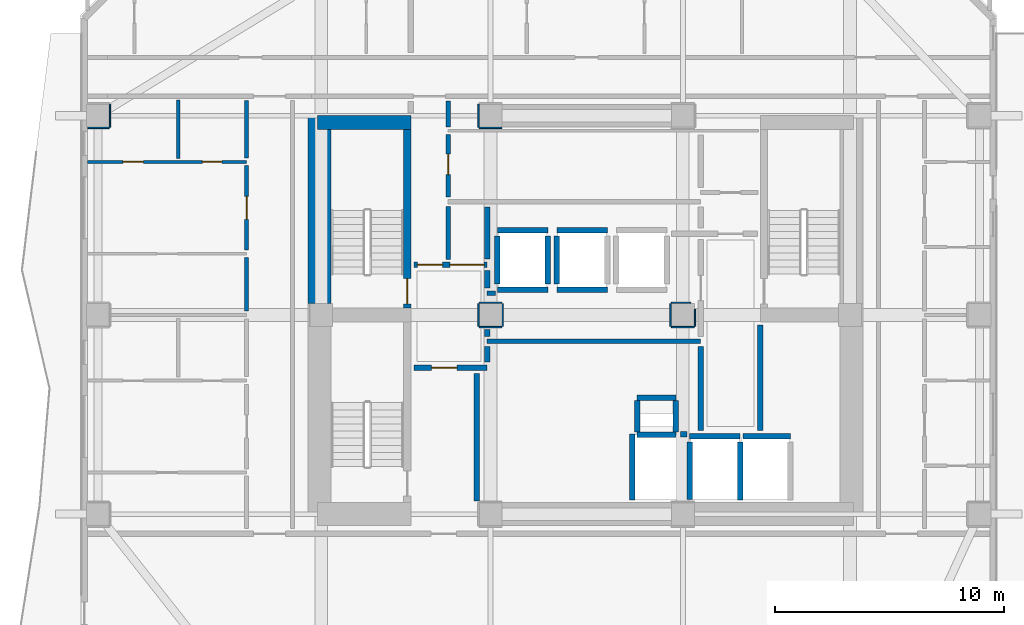
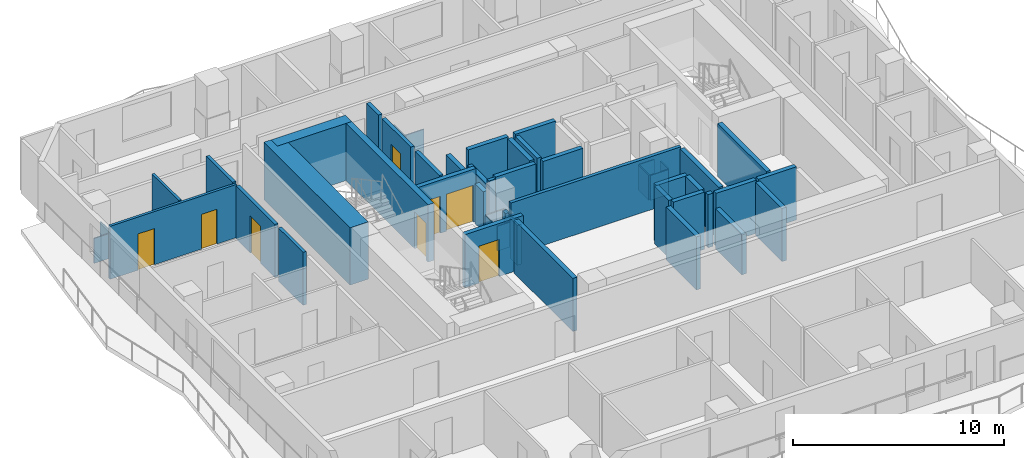
# One storey, part 4 of 11: 51 walls, 8 doors, 8 openings.
"""IFC4 building model written with IfcOpenShell, lengths in metres."""

from ifc_helpers import new_model, si_unit, direction, frame, frame_2d, origin, place, context, subcontext, project, spatial, rectangle, extrude, material, layer, layer_set, type_object, element, fill, save


model = new_model("IFC4")

# Units and contexts
model_context = context("Model", 3, precision=1e-05, world=origin(), true_north=direction((0.0, 1.0)))
body_context = subcontext(model_context, "Body", "Model", "MODEL_VIEW")
ifc_project = project(units=[si_unit("LENGTHUNIT", "METRE"), si_unit("AREAUNIT", "SQUARE_METRE"), si_unit("VOLUMEUNIT", "CUBIC_METRE"), si_unit("PLANEANGLEUNIT", "RADIAN"), si_unit("MASSUNIT", "GRAM", prefix="KILO")], contexts=[model_context])

# Site, building, storey
site_placement = place(None, origin())
site = spatial("IfcSite", under=ifc_project, at=site_placement, CompositionType="ELEMENT")
building_placement = place(site_placement, origin())
building = spatial("IfcBuilding", under=site, at=building_placement, Name="Solanera Arch Residences", CompositionType="ELEMENT")
storey_placement = place(building_placement, frame((0.0, 0.0, 109.39990234375)))
storey = spatial("IfcBuildingStorey", under=building, at=storey_placement, Name="L31", CompositionType="ELEMENT", Elevation=109.39990234375)

# Walls
ifc_material_1 = material(Name="Fire-Rated Gypsum Stud Partition", Category="gypsum")
ifc_layer_1 = layer(ifc_material_1, 0.06005859375)
ifc_layer_set_1 = layer_set([ifc_layer_1], Name="Fire-Rated Gypsum Stud Partition")
wall_type_1 = type_object("IfcWallType", Name="Column Acoustic Furring Wall 60", PredefinedType="PARTITIONING", material=ifc_layer_set_1)
for number, where, z_axis, x_axis, name in (
    (1, (20.300048828125, 38.867919921875, 0.0), (0.0, 0.0, 1.0), (1.0, 0.0, 0.0), "L31 Column Furring 3S"),
    (2, (20.26806640625, 38.89990234375, 0.0), (0.0, 0.0, 1.0), (0.0, 1.0, 0.0), "L31 Column Furring 3W"),
    (3, (20.300048828125, 30.16796875, 0.0), (0.0, 0.0, 1.0), (1.0, 0.0, 0.0), "L31 Column Furring 7S"),
    (4, (20.300048828125, 31.23193359375, 0.0), (0.0, 0.0, 1.0), (1.0, 0.0, 0.0), "L31 Column Furring 7N"),
    (5, (20.26806640625, 30.199951171875, 0.0), (0.0, 0.0, 1.0), (0.0, 1.0, 0.0), "L31 Column Furring 7W"),
    (6, (21.33203125, 30.199951171875, 0.0), (0.0, 0.0, 1.0), (0.0, 1.0, 0.0), "L31 Column Furring 7E"),
    (7, (28.699951171875, 30.16796875, 0.0), (0.0, 0.0, 1.0), (1.0, 0.0, 0.0), "L31 Column Furring 8S"),
):
    element("IfcWall", number, at=place(storey_placement, frame(where, z_axis=z_axis, x_axis=x_axis)), inside=storey, type_object=wall_type_1, Name=name, PredefinedType="PARTITIONING", context=body_context, shape_type="SweptSolid", body=[
        extrude(rectangle(XDim=1.0, YDim=0.06005859375, at=frame_2d((0.5, 0.0))), origin(), (0.0, 0.0, 1.0), 1.4501953125),
    ])
wall_1_placement = place(storey_placement, frame((28.699951171875, 31.23193359375, 0.0), z_axis=(0.0, 0.0, 1.0), x_axis=(1.0, 0.0, 0.0)))
element("IfcWall", 8, at=wall_1_placement, inside=storey, type_object=wall_type_1, Name="L31 Column Furring 8N", PredefinedType="PARTITIONING", context=body_context, shape_type="SweptSolid", body=[
    extrude(rectangle(XDim=0.8349609375, YDim=0.06005859375, at=frame_2d((0.41748046875, 0.0))), origin(), (0.0, 0.0, 1.0), 1.4501953125),
])
wall_2_placement = place(storey_placement, frame((28.66796875, 30.199951171875, 0.0), z_axis=(0.0, 0.0, 1.0), x_axis=(0.0, 1.0, 0.0)))
element("IfcWall", 9, at=wall_2_placement, inside=storey, type_object=wall_type_1, Name="L31 Column Furring 8W", PredefinedType="PARTITIONING", context=body_context, shape_type="SweptSolid", body=[
    extrude(rectangle(XDim=1.0, YDim=0.06005859375, at=frame_2d((0.5, 0.0))), origin(), (0.0, 0.0, 1.0), 1.4501953125),
])
wall_3_placement = place(storey_placement, frame((29.73193359375, 30.199951171875, 0.0), z_axis=(0.0, 0.0, 1.0), x_axis=(0.0, 1.0, 0.0)))
element("IfcWall", 10, at=wall_3_placement, inside=storey, type_object=wall_type_1, Name="L31 Column Furring 8E", PredefinedType="PARTITIONING", context=body_context, shape_type="SweptSolid", body=[
    extrude(rectangle(XDim=0.7470703125, YDim=0.06005859375, at=frame_2d((0.37353515625, 0.0))), origin(), (0.0, 0.0, 1.0), 1.4501953125),
])
wall_4_placement = place(storey_placement, frame((3.2099609375, 38.867919921875, 0.0), z_axis=(0.0, 0.0, 1.0), x_axis=(1.0, 0.0, 0.0)))
element("IfcWall", 11, at=wall_4_placement, inside=storey, type_object=wall_type_1, Name="L31 Column Furring 21S", PredefinedType="PARTITIONING", context=body_context, shape_type="SweptSolid", body=[
    extrude(rectangle(XDim=0.93994140625, YDim=0.06005859375, at=frame_2d((0.469970703125, 0.0))), origin(), (0.0, 0.0, 1.0), 1.4501953125),
])
wall_5_placement = place(storey_placement, frame((4.181884765625, 38.89990234375, 0.0), z_axis=(0.0, 0.0, 1.0), x_axis=(0.0, 1.0, 0.0)))
element("IfcWall", 12, at=wall_5_placement, inside=storey, type_object=wall_type_1, Name="L31 Column Furring 21E", PredefinedType="PARTITIONING", context=body_context, shape_type="SweptSolid", body=[
    extrude(rectangle(XDim=1.0, YDim=0.06005859375, at=frame_2d((0.5, 0.0))), origin(), (0.0, 0.0, 1.0), 1.4501953125),
])
ifc_material_2 = material(Name="Concrete C55/67 (f'c = 60 MPa)", Category="concrete")
ifc_layer_2 = layer(ifc_material_2, 1.0)
ifc_layer_set_2 = layer_set([ifc_layer_2], Name="Concrete C55/67 (f'c = 60 MPa)")
wall_type_2 = type_object("IfcWallType", Name="Core Shear Wall CW-1000", PredefinedType="SHEAR", material=ifc_layer_set_2)
wall_6_placement = place(storey_placement, frame((13.340087890625, 31.205078125, 0.0), z_axis=(0.0, 0.0, 1.0), x_axis=(0.0, 1.0, 0.0)))
element("IfcWall", 13, at=wall_6_placement, inside=storey, type_object=wall_type_2, Name="L31 West Core North Shear Wall", PredefinedType="SHEAR", context=body_context, shape_type="SweptSolid", body=[
    extrude(rectangle(XDim=8.19482421875, YDim=1.0, at=frame_2d((4.097412109375, 0.0))), origin(), (0.0, 0.0, 1.0), 3.320068359375),
])

# Wall, opening, door
ifc_material_3 = material(Name="Concrete C40/50 (f'c = 45 MPa)", Category="concrete")
ifc_layer_3 = layer(ifc_material_3, 0.320068359375)
ifc_layer_set_3 = layer_set([ifc_layer_3], Name="Concrete C40/50 (f'c = 45 MPa)")
wall_type_3 = type_object("IfcWallType", Name="Core Shear Wall CW-320", PredefinedType="SHEAR", material=ifc_layer_set_3)
wall_7_placement = place(storey_placement, frame((17.159912109375, 31.0, 0.0), z_axis=(0.0, 0.0, 1.0), x_axis=(0.0, 1.0, 0.0)))
wall_7 = element("IfcWall", 14, at=wall_7_placement, inside=storey, type_object=wall_type_3, Name="L31 Stair ST-T1 East Shear Wall", PredefinedType="SHEAR", context=body_context, shape_type="SweptSolid", body=[
    extrude(rectangle(XDim=7.800048828125, YDim=0.320068359375, at=frame_2d((3.89990234375, 0.0))), origin(), (0.0, 0.0, 1.0), 3.320068359375),
])
opening_1_placement = place(wall_7_placement, frame((0.18994140625, 0.0, 0.0)))
opening_1 = element("IfcOpeningElement", 15, at=opening_1_placement, cuts=wall_7, Name="Opening DF-01", PredefinedType="OPENING", context=body_context, shape_type="SweptSolid", body=[
    extrude(rectangle(XDim=1.10009765625, YDim=2.14990234375, at=frame_2d((0.550048828125, 1.074951171875))), frame((0.0, 0.169921875, 0.0), z_axis=(0.0, -1.0, 0.0), x_axis=(1.0, 0.0, 0.0)), (0.0, 0.0, 1.0), 0.3401),
])
ifc_material_4 = material(Name="Fire-Rated Architectural Hardwood", Category="wood")
door_type_1 = type_object("IfcDoorType", Name="Stair Exit Fire Door DF-01", OperationType="NOTDEFINED", PredefinedType="DOOR", material=ifc_material_4)
door_1_placement = place(opening_1_placement, origin())
door_1 = element("IfcDoor", 16, at=door_1_placement, inside=storey, type_object=door_type_1, Name="DR-L31-STAIR-ST-T1", OperationType="SINGLE_SWING_LEFT", OverallHeight=2.14990234375, OverallWidth=1.10009765625, PredefinedType="DOOR", context=body_context, shape_type="SweptSolid", body=[
    extrude(rectangle(XDim=1.10009765625, YDim=2.14990234375, at=frame_2d((0.550048828125, 1.074951171875))), frame((0.0, 0.02490234375, 0.0), z_axis=(0.0, -1.0, 0.0), x_axis=(1.0, 0.0, 0.0)), (0.0, 0.0, 1.0), 0.050048828125),
])
fill(opening_1, door_1)

# Walls
ifc_material_5 = material(Name="Concrete C40/50 (f'c = 45 MPa)", Category="concrete")
ifc_layer_4 = layer(ifc_material_5, 0.60009765625)
ifc_layer_set_4 = layer_set([ifc_layer_4], Name="Concrete C40/50 (f'c = 45 MPa)")
wall_type_4 = type_object("IfcWallType", Name="Core Shear Wall CW-600", PredefinedType="SHEAR", material=ifc_layer_set_4)
wall_8_placement = place(storey_placement, frame((13.239990234375, 39.10009765625, 0.0), z_axis=(0.0, 0.0, 1.0), x_axis=(1.0, 0.0, 0.0)))
element("IfcWall", 17, at=wall_8_placement, inside=storey, type_object=wall_type_4, Name="L31 North-West Core Shear Wall", PredefinedType="SHEAR", context=body_context, shape_type="SweptSolid", body=[
    extrude(rectangle(XDim=4.080078125, YDim=0.60009765625, at=frame_2d((2.0400390625, 0.0))), origin(), (0.0, 0.0, 1.0), 3.320068359375),
])
ifc_material_6 = material(Name="Autoclaved Aerated Concrete Blockwork", Category="masonry")
ifc_layer_5 = layer(ifc_material_6, 0.179931640625)
ifc_layer_set_5 = layer_set([ifc_layer_5], Name="Autoclaved Aerated Concrete Blockwork")
wall_type_5 = type_object("IfcWallType", Name="Corridor Fire Partition 180", PredefinedType="PARTITIONING", material=ifc_layer_set_5)
wall_9_placement = place(storey_placement, frame((20.64990234375, 29.550048828125, 0.0), z_axis=(0.0, 0.0, 1.0), x_axis=(1.0, 0.0, 0.0)))
element("IfcWall", 18, at=wall_9_placement, inside=storey, type_object=wall_type_5, Name="L31 Interior Partition H8", PredefinedType="PARTITIONING", context=body_context, shape_type="SweptSolid", body=[
    extrude(rectangle(XDim=9.3251953125, YDim=0.179931640625, at=frame_2d((4.66259765625, 0.0))), origin(), (0.0, 0.0, 1.0), 3.080078125),
])
wall_10_placement = place(storey_placement, frame((20.64990234375, 31.64990234375, 0.0), z_axis=(0.0, 0.0, 1.0), x_axis=(1.0, 0.0, 0.0)))
element("IfcWall", 19, at=wall_10_placement, inside=storey, type_object=wall_type_5, Name="L31 Interior Partition H9", PredefinedType="PARTITIONING", context=body_context, shape_type="SweptSolid", body=[
    extrude(rectangle(XDim=0.357177734375, YDim=0.179931640625, at=frame_2d((0.1787109375, 0.0))), origin(), (0.0, 0.0, 1.0), 3.080078125),
])
wall_11_placement = place(storey_placement, frame((10.14990234375, 30.867919921875, 0.0), z_axis=(0.0, 0.0, 1.0), x_axis=(0.0, 1.0, 0.0)))
element("IfcWall", 20, at=wall_11_placement, inside=storey, type_object=wall_type_5, Name="L31 Interior Partition V9 4", PredefinedType="PARTITIONING", context=body_context, shape_type="SweptSolid", body=[
    extrude(rectangle(XDim=2.34814453125, YDim=0.179931640625, at=frame_2d((1.174072265625, 0.0))), origin(), (0.0, 0.0, 1.0), 3.080078125),
])

# Wall, opening, door
wall_12_placement = place(storey_placement, frame((10.14990234375, 33.531982421875, 0.0), z_axis=(0.0, 0.0, 1.0), x_axis=(0.0, 1.0, 0.0)))
wall_12 = element("IfcWall", 21, at=wall_12_placement, inside=storey, type_object=wall_type_5, Name="L31 Interior Partition V9 5", PredefinedType="PARTITIONING", context=body_context, shape_type="SweptSolid", body=[
    extrude(rectangle(XDim=3.68505859375, YDim=0.179931640625, at=frame_2d((1.842529296875, 0.0))), origin(), (0.0, 0.0, 1.0), 3.080078125),
])
opening_2_placement = place(wall_12_placement, frame((1.347900390625, 0.0, 0.0)))
opening_2 = element("IfcOpeningElement", 22, at=opening_2_placement, cuts=wall_12, Name="Opening DI-01", PredefinedType="OPENING", context=body_context, shape_type="SweptSolid", body=[
    extrude(rectangle(XDim=1.0, YDim=2.14990234375, at=frame_2d((0.5, 1.074951171875))), frame((0.0, 0.10009765625, 0.0), z_axis=(0.0, -1.0, 0.0), x_axis=(1.0, 0.0, 0.0)), (0.0, 0.0, 1.0), 0.1999),
])
ifc_material_7 = material(Name="Fire-Rated Architectural Hardwood", Category="wood")
door_type_2 = type_object("IfcDoorType", Name="Unit Entrance Fire Door DI-01", OperationType="NOTDEFINED", PredefinedType="DOOR", material=ifc_material_7)
door_2_placement = place(opening_2_placement, origin())
door_2 = element("IfcDoor", 23, at=door_2_placement, inside=storey, type_object=door_type_2, Name="DR-L31-IN-040", OperationType="SINGLE_SWING_RIGHT", OverallHeight=2.14990234375, OverallWidth=1.0, PredefinedType="DOOR", context=body_context, shape_type="SweptSolid", body=[
    extrude(rectangle(XDim=1.0, YDim=2.14990234375, at=frame_2d((0.5, 1.074951171875))), frame((0.0, 0.02490234375, 0.0), z_axis=(0.0, -1.0, 0.0), x_axis=(1.0, 0.0, 0.0)), (0.0, 0.0, 1.0), 0.050048828125),
])
fill(opening_2, door_2)

# Walls
wall_13_placement = place(storey_placement, frame((10.14990234375, 37.552978515625, 0.0), z_axis=(0.0, 0.0, 1.0), x_axis=(0.0, 1.0, 0.0)))
element("IfcWall", 24, at=wall_13_placement, inside=storey, type_object=wall_type_5, Name="L31 Interior Partition V9 6", PredefinedType="PARTITIONING", context=body_context, shape_type="SweptSolid", body=[
    extrude(rectangle(XDim=2.509033203125, YDim=0.179931640625, at=frame_2d((1.25439453125, 0.0))), origin(), (0.0, 0.0, 1.0), 3.080078125),
])
ifc_material_8 = material(Name="Autoclaved Aerated Concrete Blockwork", Category="masonry")
ifc_layer_6 = layer(ifc_material_8, 0.199951171875)
ifc_layer_set_6 = layer_set([ifc_layer_6], Name="Autoclaved Aerated Concrete Blockwork")
wall_type_6 = type_object("IfcWallType", Name="Party Wall Acoustic 200", PredefinedType="PARTITIONING", material=ifc_layer_set_6)
wall_14_placement = place(storey_placement, frame((18.949951171875, 33.1279296875, 0.0), z_axis=(0.0, 0.0, 1.0), x_axis=(0.0, 1.0, 0.0)))
element("IfcWall", 25, at=wall_14_placement, inside=storey, type_object=wall_type_6, Name="L31 Interior Partition V7 1", PredefinedType="PARTITIONING", context=body_context, shape_type="SweptSolid", body=[
    extrude(rectangle(XDim=2.31396484375, YDim=0.199951171875, at=frame_2d((1.156982421875, 0.0))), origin(), (0.0, 0.0, 1.0), 3.080078125),
])

# Wall, opening, door
wall_15_placement = place(storey_placement, frame((18.949951171875, 35.85791015625, 0.0), z_axis=(0.0, 0.0, 1.0), x_axis=(0.0, 1.0, 0.0)))
wall_15 = element("IfcWall", 26, at=wall_15_placement, inside=storey, type_object=wall_type_6, Name="L31 Interior Partition V7 2", PredefinedType="PARTITIONING", context=body_context, shape_type="SweptSolid", body=[
    extrude(rectangle(XDim=2.72412109375, YDim=0.199951171875, at=frame_2d((1.362060546875, 0.0))), origin(), (0.0, 0.0, 1.0), 3.080078125),
])
opening_3_placement = place(wall_15_placement, frame((0.967041015625, 0.0, 0.0)))
opening_3 = element("IfcOpeningElement", 27, at=opening_3_placement, cuts=wall_15, Name="Opening DI-02", PredefinedType="OPENING", context=body_context, shape_type="SweptSolid", body=[
    extrude(rectangle(XDim=0.89990234375, YDim=2.10009765625, at=frame_2d((0.449951171875, 1.050048828125))), frame((0.0, 0.110107421875, 0.0), z_axis=(0.0, -1.0, 0.0), x_axis=(1.0, 0.0, 0.0)), (0.0, 0.0, 1.0), 0.22),
])
ifc_material_9 = material(Name="Fire-Rated Architectural Hardwood", Category="wood")
door_type_3 = type_object("IfcDoorType", Name="Suite Room Swing Door DI-02", OperationType="NOTDEFINED", PredefinedType="DOOR", material=ifc_material_9)
door_3_placement = place(opening_3_placement, origin())
door_3 = element("IfcDoor", 28, at=door_3_placement, inside=storey, type_object=door_type_3, Name="DR-L31-IN-016", OperationType="SINGLE_SWING_RIGHT", OverallHeight=2.10009765625, OverallWidth=0.89990234375, PredefinedType="DOOR", context=body_context, shape_type="SweptSolid", body=[
    extrude(rectangle(XDim=0.89990234375, YDim=2.10009765625, at=frame_2d((0.449951171875, 1.050048828125))), frame((0.0, 0.02490234375, 0.0), z_axis=(0.0, -1.0, 0.0), x_axis=(1.0, 0.0, 0.0)), (0.0, 0.0, 1.0), 0.050048828125),
])
fill(opening_3, door_3)

# Walls
wall_16_placement = place(storey_placement, frame((18.949951171875, 38.91796875, 0.0), z_axis=(0.0, 0.0, 1.0), x_axis=(0.0, 1.0, 0.0)))
element("IfcWall", 29, at=wall_16_placement, inside=storey, type_object=wall_type_6, Name="L31 Interior Partition V7 3", PredefinedType="PARTITIONING", context=body_context, shape_type="SweptSolid", body=[
    extrude(rectangle(XDim=1.134033203125, YDim=0.199951171875, at=frame_2d((0.56689453125, 0.0))), origin(), (0.0, 0.0, 1.0), 3.080078125),
])
ifc_material_10 = material(Name="Concrete C40/50 (f'c = 45 MPa)", Category="concrete")
ifc_layer_7 = layer(ifc_material_10, 0.239990234375)
ifc_layer_set_7 = layer_set([ifc_layer_7], Name="Concrete C40/50 (f'c = 45 MPa)")
wall_type_7 = type_object("IfcWallType", Name="Ramp Bearing Shear Wall RW-240", PredefinedType="SHEAR", material=ifc_layer_set_7)
for number, where, z_axis, x_axis, name in (
    (30, (27.199951171875, 25.47998046875, 0.0), (0.0, 0.0, 1.0), (1.0, 0.0, 0.0), "L31 Core MEP Riser South Shaft Wall"),
    (31, (27.199951171875, 27.080078125, 0.0), (0.0, 0.0, 1.0), (1.0, 0.0, 0.0), "L31 Core MEP Riser North Shaft Wall"),
):
    element("IfcWall", number, at=place(storey_placement, frame(where, z_axis=z_axis, x_axis=x_axis)), inside=storey, type_object=wall_type_7, Name=name, PredefinedType="SHEAR", context=body_context, shape_type="SweptSolid", body=[
        extrude(rectangle(XDim=1.699951171875, YDim=0.239990234375, at=frame_2d((0.85009765625, 0.0))), origin(), (0.0, 0.0, 1.0), 3.320068359375),
    ])
for number, where, z_axis, x_axis, name in (
    (32, (27.199951171875, 25.60009765625, 0.0), (0.0, 0.0, 1.0), (0.0, 1.0, 0.0), "L31 Core MEP Riser West Shaft Wall"),
    (33, (28.89990234375, 25.60009765625, 0.0), (0.0, 0.0, 1.0), (0.0, 1.0, 0.0), "L31 Core MEP Riser East Shaft Wall"),
):
    element("IfcWall", number, at=place(storey_placement, frame(where, z_axis=z_axis, x_axis=x_axis)), inside=storey, type_object=wall_type_7, Name=name, PredefinedType="SHEAR", context=body_context, shape_type="SweptSolid", body=[
        extrude(rectangle(XDim=1.35986328125, YDim=0.239990234375, at=frame_2d((0.679931640625, 0.0))), origin(), (0.0, 0.0, 1.0), 3.320068359375),
    ])
ifc_material_11 = material(Name="Autoclaved Aerated Concrete Blockwork", Category="masonry")
ifc_layer_8 = layer(ifc_material_11, 0.239990234375)
ifc_layer_set_8 = layer_set([ifc_layer_8], Name="Autoclaved Aerated Concrete Blockwork")
wall_type_8 = type_object("IfcWallType", Name="Shaft Wall Fire-Rated 240", PredefinedType="PARTITIONING", material=ifc_layer_set_8)
for number, where, z_axis, x_axis, name in (
    (34, (21.10009765625, 31.800048828125, 0.0), (0.0, 0.0, 1.0), (1.0, 0.0, 0.0), "L31 Lift PL-M1 Hoistway Wall S"),
    (35, (21.10009765625, 34.39990234375, 0.0), (0.0, 0.0, 1.0), (1.0, 0.0, 0.0), "L31 Lift PL-M1 Hoistway Wall N"),
):
    element("IfcWall", number, at=place(storey_placement, frame(where, z_axis=z_axis, x_axis=x_axis)), inside=storey, type_object=wall_type_8, Name=name, PredefinedType="PARTITIONING", context=body_context, shape_type="SweptSolid", body=[
        extrude(rectangle(XDim=2.199951171875, YDim=0.239990234375, at=frame_2d((1.10009765625, 0.0))), origin(), (0.0, 0.0, 1.0), 3.080078125),
    ])
wall_17_placement = place(storey_placement, frame((21.10009765625, 32.048095703125, 0.0), z_axis=(0.0, 0.0, 1.0), x_axis=(0.0, 1.0, 0.0)))
element("IfcWall", 36, at=wall_17_placement, inside=storey, type_object=wall_type_8, Name="L31 Lift PL-M1 Hoistway Wall W", PredefinedType="PARTITIONING", context=body_context, shape_type="SweptSolid", body=[
    extrude(rectangle(XDim=2.10400390625, YDim=0.239990234375, at=frame_2d((1.052001953125, 0.0))), origin(), (0.0, 0.0, 1.0), 2.315185546875),
])
wall_18_placement = place(storey_placement, frame((23.300048828125, 32.048095703125, 0.0), z_axis=(0.0, 0.0, 1.0), x_axis=(0.0, 1.0, 0.0)))
element("IfcWall", 37, at=wall_18_placement, inside=storey, type_object=wall_type_8, Name="L31 Lift PL-M1 Hoistway Wall E", PredefinedType="PARTITIONING", context=body_context, shape_type="SweptSolid", body=[
    extrude(rectangle(XDim=2.10400390625, YDim=0.239990234375, at=frame_2d((1.052001953125, 0.0))), origin(), (0.0, 0.0, 1.0), 3.080078125),
])
for number, where, z_axis, x_axis, name in (
    (38, (23.699951171875, 31.800048828125, 0.0), (0.0, 0.0, 1.0), (1.0, 0.0, 0.0), "L31 Lift PL-M2 Hoistway Wall S"),
    (39, (23.699951171875, 34.39990234375, 0.0), (0.0, 0.0, 1.0), (1.0, 0.0, 0.0), "L31 Lift PL-M2 Hoistway Wall N"),
):
    element("IfcWall", number, at=place(storey_placement, frame(where, z_axis=z_axis, x_axis=x_axis)), inside=storey, type_object=wall_type_8, Name=name, PredefinedType="PARTITIONING", context=body_context, shape_type="SweptSolid", body=[
        extrude(rectangle(XDim=2.199951171875, YDim=0.239990234375, at=frame_2d((1.10009765625, 0.0))), origin(), (0.0, 0.0, 1.0), 3.080078125),
    ])
wall_19_placement = place(storey_placement, frame((23.699951171875, 32.048095703125, 0.0), z_axis=(0.0, 0.0, 1.0), x_axis=(0.0, 1.0, 0.0)))
element("IfcWall", 40, at=wall_19_placement, inside=storey, type_object=wall_type_8, Name="L31 Lift PL-M2 Hoistway Wall W", PredefinedType="PARTITIONING", context=body_context, shape_type="SweptSolid", body=[
    extrude(rectangle(XDim=2.10400390625, YDim=0.239990234375, at=frame_2d((1.052001953125, 0.0))), origin(), (0.0, 0.0, 1.0), 3.080078125),
])
wall_20_placement = place(storey_placement, frame((29.5, 25.39990234375, 0.0), z_axis=(0.0, 0.0, 1.0), x_axis=(1.0, 0.0, 0.0)))
element("IfcWall", 41, at=wall_20_placement, inside=storey, type_object=wall_type_8, Name="L31 Lift FFL-1 Hoistway Wall N", PredefinedType="PARTITIONING", context=body_context, shape_type="SweptSolid", body=[
    extrude(rectangle(XDim=2.199951171875, YDim=0.239990234375, at=frame_2d((1.10009765625, 0.0))), origin(), (0.0, 0.0, 1.0), 3.080078125),
])
wall_21_placement = place(storey_placement, frame((29.5, 22.632080078125, 0.0), z_axis=(0.0, 0.0, 1.0), x_axis=(0.0, 1.0, 0.0)))
element("IfcWall", 42, at=wall_21_placement, inside=storey, type_object=wall_type_8, Name="L31 Lift FFL-1 Hoistway Wall W", PredefinedType="PARTITIONING", context=body_context, shape_type="SweptSolid", body=[
    extrude(rectangle(XDim=2.52001953125, YDim=0.239990234375, at=frame_2d((1.260009765625, 0.0))), origin(), (0.0, 0.0, 1.0), 2.315185546875),
])
wall_22_placement = place(storey_placement, frame((31.699951171875, 22.6298828125, 0.0), z_axis=(0.0, 0.0, 1.0), x_axis=(0.0, 1.0, 0.0)))
element("IfcWall", 43, at=wall_22_placement, inside=storey, type_object=wall_type_8, Name="L31 Lift FFL-1 Hoistway Wall E", PredefinedType="PARTITIONING", context=body_context, shape_type="SweptSolid", body=[
    extrude(rectangle(XDim=2.522216796875, YDim=0.239990234375, at=frame_2d((1.26123046875, 0.0))), origin(), (0.0, 0.0, 1.0), 3.080078125),
])
wall_23_placement = place(storey_placement, frame((31.827880859375, 25.39990234375, 0.0), z_axis=(0.0, 0.0, 1.0), x_axis=(1.0, 0.0, 0.0)))
element("IfcWall", 44, at=wall_23_placement, inside=storey, type_object=wall_type_8, Name="L31 Lift FFL-2 Hoistway Wall N", PredefinedType="PARTITIONING", context=body_context, shape_type="SweptSolid", body=[
    extrude(rectangle(XDim=2.072021484375, YDim=0.239990234375, at=frame_2d((1.0361328125, 0.0))), origin(), (0.0, 0.0, 1.0), 3.080078125),
])
wall_24_placement = place(storey_placement, frame((29.10302734375, 25.5, 0.0), z_axis=(0.0, 0.0, 1.0), x_axis=(1.0, 0.0, 0.0)))
element("IfcWall", 45, at=wall_24_placement, inside=storey, type_object=wall_type_8, Name="L31 Lift SVL-1 Hoistway Wall N", PredefinedType="PARTITIONING", context=body_context, shape_type="SweptSolid", body=[
    extrude(rectangle(XDim=0.26904296875, YDim=0.239990234375, at=frame_2d((0.134521484375, 0.0))), origin(), (0.0, 0.0, 1.0), 3.080078125),
])
wall_25_placement = place(storey_placement, frame((27.0, 22.6298828125, 0.0), z_axis=(0.0, 0.0, 1.0), x_axis=(0.0, 1.0, 0.0)))
element("IfcWall", 46, at=wall_25_placement, inside=storey, type_object=wall_type_8, Name="L31 Lift SVL-1 Hoistway Wall W", PredefinedType="PARTITIONING", context=body_context, shape_type="SweptSolid", body=[
    extrude(rectangle(XDim=2.8681640625, YDim=0.239990234375, at=frame_2d((1.43408203125, 0.0))), origin(), (0.0, 0.0, 1.0), 3.080078125),
])

# Wall, opening, door
wall_26_placement = place(storey_placement, frame((17.449951171875, 28.39990234375, 0.0), z_axis=(0.0, 0.0, 1.0), x_axis=(1.0, 0.0, 0.0)))
wall_26 = element("IfcWall", 47, at=wall_26_placement, inside=storey, type_object=wall_type_8, Name="L31 Interior Partition H3", PredefinedType="PARTITIONING", context=body_context, shape_type="SweptSolid", body=[
    extrude(rectangle(XDim=3.199951171875, YDim=0.239990234375, at=frame_2d((1.60009765625, 0.0))), origin(), (0.0, 0.0, 1.0), 3.080078125),
])
opening_4_placement = place(wall_26_placement, frame((0.783935546875, 0.0, 0.0)))
opening_4 = element("IfcOpeningElement", 48, at=opening_4_placement, cuts=wall_26, Name="Opening DF-02", PredefinedType="OPENING", context=body_context, shape_type="SweptSolid", body=[
    extrude(rectangle(XDim=1.10009765625, YDim=2.14990234375, at=frame_2d((0.550048828125, 1.074951171875))), frame((0.0, 0.1298828125, 0.0), z_axis=(0.0, -1.0, 0.0), x_axis=(1.0, 0.0, 0.0)), (0.0, 0.0, 1.0), 0.26),
])
ifc_material_12 = material(Name="Fire-Rated Architectural Hardwood", Category="wood")
door_type_4 = type_object("IfcDoorType", Name="Firefighting Lobby Fire Door DF-02", OperationType="NOTDEFINED", PredefinedType="DOOR", material=ifc_material_12)
door_4_placement = place(opening_4_placement, origin())
door_4 = element("IfcDoor", 49, at=door_4_placement, inside=storey, type_object=door_type_4, Name="DR-L31-IN-004", OperationType="SINGLE_SWING_RIGHT", OverallHeight=2.14990234375, OverallWidth=1.10009765625, PredefinedType="DOOR", context=body_context, shape_type="SweptSolid", body=[
    extrude(rectangle(XDim=1.10009765625, YDim=2.14990234375, at=frame_2d((0.550048828125, 1.074951171875))), frame((0.0, 0.02490234375, 0.0), z_axis=(0.0, -1.0, 0.0), x_axis=(1.0, 0.0, 0.0)), (0.0, 0.0, 1.0), 0.050048828125),
])
fill(opening_4, door_4)

# Wall, openings, doors
wall_27_placement = place(storey_placement, frame((17.449951171875, 32.89990234375, 0.0), z_axis=(0.0, 0.0, 1.0), x_axis=(1.0, 0.0, 0.0)))
wall_27 = element("IfcWall", 50, at=wall_27_placement, inside=storey, type_object=wall_type_8, Name="L31 Interior Partition H4", PredefinedType="PARTITIONING", context=body_context, shape_type="SweptSolid", body=[
    extrude(rectangle(XDim=3.199951171875, YDim=0.239990234375, at=frame_2d((1.60009765625, 0.0))), origin(), (0.0, 0.0, 1.0), 3.080078125),
])
opening_5_placement = place(wall_27_placement, frame((0.158935546875, 0.0, 0.0)))
opening_5 = element("IfcOpeningElement", 51, at=opening_5_placement, cuts=wall_27, Name="Opening DF-02", PredefinedType="OPENING", context=body_context, shape_type="SweptSolid", body=[
    extrude(rectangle(XDim=1.10009765625, YDim=2.14990234375, at=frame_2d((0.550048828125, 1.074951171875))), frame((0.0, 0.1298828125, 0.0), z_axis=(0.0, -1.0, 0.0), x_axis=(1.0, 0.0, 0.0)), (0.0, 0.0, 1.0), 0.26),
])
opening_6_placement = place(wall_27_placement, frame((1.575927734375, 0.0, 0.0)))
opening_6 = element("IfcOpeningElement", 52, at=opening_6_placement, cuts=wall_27, Name="Opening DP-01", PredefinedType="OPENING", context=body_context, shape_type="SweptSolid", body=[
    extrude(rectangle(XDim=1.5, YDim=2.14990234375, at=frame_2d((0.75, 1.074951171875))), frame((0.0, 0.1298828125, 0.0), z_axis=(0.0, -1.0, 0.0), x_axis=(1.0, 0.0, 0.0)), (0.0, 0.0, 1.0), 0.26),
])
door_5_placement = place(opening_5_placement, origin())
door_5 = element("IfcDoor", 53, at=door_5_placement, inside=storey, type_object=door_type_4, Name="DR-L31-IN-005", OperationType="SINGLE_SWING_LEFT", OverallHeight=2.14990234375, OverallWidth=1.10009765625, PredefinedType="DOOR", context=body_context, shape_type="SweptSolid", body=[
    extrude(rectangle(XDim=1.10009765625, YDim=2.14990234375, at=frame_2d((0.550048828125, 1.074951171875))), frame((0.0, 0.02490234375, 0.0), z_axis=(0.0, -1.0, 0.0), x_axis=(1.0, 0.0, 0.0)), (0.0, 0.0, 1.0), 0.050048828125),
])
fill(opening_5, door_5)
ifc_material_13 = material(Name="Fire-Rated Architectural Hardwood", Category="wood")
door_type_5 = type_object("IfcDoorType", Name="Plant Double Fire Door DP-01", OperationType="NOTDEFINED", PredefinedType="DOOR", material=ifc_material_13)
door_6_placement = place(opening_6_placement, origin())
door_6 = element("IfcDoor", 54, at=door_6_placement, inside=storey, type_object=door_type_5, Name="DR-L31-IN-014", OperationType="SINGLE_SWING_RIGHT", OverallHeight=2.14990234375, OverallWidth=1.5, PredefinedType="DOOR", context=body_context, shape_type="SweptSolid", body=[
    extrude(rectangle(XDim=1.5, YDim=2.14990234375, at=frame_2d((0.75, 1.074951171875))), frame((0.0, 0.02490234375, 0.0), z_axis=(0.0, -1.0, 0.0), x_axis=(1.0, 0.0, 0.0)), (0.0, 0.0, 1.0), 0.050048828125),
])
fill(opening_6, door_6)

# Walls
wall_28_placement = place(storey_placement, frame((20.199951171875, 22.5859375, 0.0), z_axis=(0.0, 0.0, 1.0), x_axis=(0.0, 1.0, 0.0)))
element("IfcWall", 55, at=wall_28_placement, inside=storey, type_object=wall_type_8, Name="L31 Interior Partition V3", PredefinedType="PARTITIONING", context=body_context, shape_type="SweptSolid", body=[
    extrude(rectangle(XDim=5.566162109375, YDim=0.239990234375, at=frame_2d((2.783203125, 0.0))), origin(), (0.0, 0.0, 1.0), 3.080078125),
])
wall_29_placement = place(storey_placement, frame((20.64990234375, 28.64794921875, 0.0), z_axis=(0.0, 0.0, 1.0), x_axis=(0.0, 1.0, 0.0)))
element("IfcWall", 56, at=wall_29_placement, inside=storey, type_object=wall_type_8, Name="L31 Interior Partition V4 1", PredefinedType="PARTITIONING", context=body_context, shape_type="SweptSolid", body=[
    extrude(rectangle(XDim=0.68408203125, YDim=0.239990234375, at=frame_2d((0.342041015625, 0.0))), origin(), (0.0, 0.0, 1.0), 2.315185546875),
])
wall_30_placement = place(storey_placement, frame((20.64990234375, 29.76806640625, 0.0), z_axis=(0.0, 0.0, 1.0), x_axis=(0.0, 1.0, 0.0)))
element("IfcWall", 57, at=wall_30_placement, inside=storey, type_object=wall_type_8, Name="L31 Interior Partition V4 2", PredefinedType="PARTITIONING", context=body_context, shape_type="SweptSolid", body=[
    extrude(rectangle(XDim=0.300048828125, YDim=0.239990234375, at=frame_2d((0.14990234375, 0.0))), origin(), (0.0, 0.0, 1.0), 2.315185546875),
])
wall_31_placement = place(storey_placement, frame((20.64990234375, 31.867919921875, 0.0), z_axis=(0.0, 0.0, 1.0), x_axis=(0.0, 1.0, 0.0)))
element("IfcWall", 58, at=wall_31_placement, inside=storey, type_object=wall_type_8, Name="L31 Interior Partition V4 3", PredefinedType="PARTITIONING", context=body_context, shape_type="SweptSolid", body=[
    extrude(rectangle(XDim=0.7841796875, YDim=0.239990234375, at=frame_2d((0.39208984375, 0.0))), origin(), (0.0, 0.0, 1.0), 2.315185546875),
])
wall_32_placement = place(storey_placement, frame((20.64990234375, 33.14794921875, 0.0), z_axis=(0.0, 0.0, 1.0), x_axis=(0.0, 1.0, 0.0)))
element("IfcWall", 59, at=wall_32_placement, inside=storey, type_object=wall_type_8, Name="L31 Interior Partition V4 4", PredefinedType="PARTITIONING", context=body_context, shape_type="SweptSolid", body=[
    extrude(rectangle(XDim=2.274169921875, YDim=0.239990234375, at=frame_2d((1.13720703125, 0.0))), origin(), (0.0, 0.0, 1.0), 2.315185546875),
])
wall_33_placement = place(storey_placement, frame((29.97509765625, 25.64794921875, 0.0), z_axis=(0.0, 0.0, 1.0), x_axis=(0.0, 1.0, 0.0)))
element("IfcWall", 60, at=wall_33_placement, inside=storey, type_object=wall_type_8, Name="L31 Interior Partition V5 1", PredefinedType="PARTITIONING", context=body_context, shape_type="SweptSolid", body=[
    extrude(rectangle(XDim=3.68408203125, YDim=0.239990234375, at=frame_2d((1.842041015625, 0.0))), origin(), (0.0, 0.0, 1.0), 3.080078125),
])
wall_34_placement = place(storey_placement, frame((32.580078125, 25.64794921875, 0.0), z_axis=(0.0, 0.0, 1.0), x_axis=(0.0, 1.0, 0.0)))
element("IfcWall", 61, at=wall_34_placement, inside=storey, type_object=wall_type_8, Name="L31 Interior Partition V6", PredefinedType="PARTITIONING", context=body_context, shape_type="SweptSolid", body=[
    extrude(rectangle(XDim=4.6220703125, YDim=0.239990234375, at=frame_2d((2.31103515625, 0.0))), origin(), (0.0, 0.0, 1.0), 3.080078125),
])

# Wall, openings, doors
ifc_material_14 = material(Name="Autoclaved Aerated Concrete Blockwork", Category="masonry")
ifc_layer_9 = layer(ifc_material_14, 0.139892578125)
ifc_layer_set_9 = layer_set([ifc_layer_9], Name="Autoclaved Aerated Concrete Blockwork")
wall_type_9 = type_object("IfcWallType", Name="Wet-Room Partition 140", PredefinedType="PARTITIONING", material=ifc_layer_set_9)
wall_35_placement = place(storey_placement, frame((3.20703125, 37.385009765625, 0.0), z_axis=(0.0, 0.0, 1.0), x_axis=(1.0, 0.0, 0.0)))
wall_35 = element("IfcWall", 62, at=wall_35_placement, inside=storey, type_object=wall_type_9, Name="L31 Interior Partition H22", PredefinedType="PARTITIONING", context=body_context, shape_type="SweptSolid", body=[
    extrude(rectangle(XDim=6.94287109375, YDim=0.139892578125, at=frame_2d((3.471435546875, 0.0))), origin(), (0.0, 0.0, 1.0), 3.080078125),
])
opening_7_placement = place(wall_35_placement, frame((5.006103515625, 0.0, 0.0)))
opening_7 = element("IfcOpeningElement", 63, at=opening_7_placement, cuts=wall_35, Name="Opening DI-05", PredefinedType="OPENING", context=body_context, shape_type="SweptSolid", body=[
    extrude(rectangle(XDim=0.860107421875, YDim=2.02001953125, at=frame_2d((0.43017578125, 1.010009765625))), frame((0.0, 0.079833984375, 0.0), z_axis=(0.0, -1.0, 0.0), x_axis=(1.0, 0.0, 0.0)), (0.0, 0.0, 1.0), 0.1599),
])
opening_8_placement = place(wall_35_placement, frame((1.537109375, 0.0, 0.0)))
opening_8 = element("IfcOpeningElement", 64, at=opening_8_placement, cuts=wall_35, Name="Opening DI-03", PredefinedType="OPENING", context=body_context, shape_type="SweptSolid", body=[
    extrude(rectangle(XDim=0.89990234375, YDim=2.10009765625, at=frame_2d((0.449951171875, 1.050048828125))), frame((0.0, 0.079833984375, 0.0), z_axis=(0.0, -1.0, 0.0), x_axis=(1.0, 0.0, 0.0)), (0.0, 0.0, 1.0), 0.1599),
])
ifc_material_15 = material(Name="Fire-Rated Architectural Hardwood", Category="wood")
door_type_6 = type_object("IfcDoorType", Name="Bathroom Swing Door DI-05", OperationType="NOTDEFINED", PredefinedType="DOOR", material=ifc_material_15)
door_7_placement = place(opening_7_placement, origin())
door_7 = element("IfcDoor", 65, at=door_7_placement, inside=storey, type_object=door_type_6, Name="DR-L31-IN-042", OperationType="SINGLE_SWING_RIGHT", OverallHeight=2.02001953125, OverallWidth=0.860107421875, PredefinedType="DOOR", context=body_context, shape_type="SweptSolid", body=[
    extrude(rectangle(XDim=0.860107421875, YDim=2.02001953125, at=frame_2d((0.43017578125, 1.010009765625))), frame((0.0, 0.02490234375, 0.0), z_axis=(0.0, -1.0, 0.0), x_axis=(1.0, 0.0, 0.0)), (0.0, 0.0, 1.0), 0.050048828125),
])
fill(opening_7, door_7)
ifc_material_16 = material(Name="Fire-Rated Architectural Hardwood", Category="wood")
door_type_7 = type_object("IfcDoorType", Name="Bedroom Swing Door DI-03", OperationType="NOTDEFINED", PredefinedType="DOOR", material=ifc_material_16)
door_8_placement = place(opening_8_placement, origin())
door_8 = element("IfcDoor", 66, at=door_8_placement, inside=storey, type_object=door_type_7, Name="DR-L31-IN-043", OperationType="SINGLE_SWING_LEFT", OverallHeight=2.10009765625, OverallWidth=0.89990234375, PredefinedType="DOOR", context=body_context, shape_type="SweptSolid", body=[
    extrude(rectangle(XDim=0.89990234375, YDim=2.10009765625, at=frame_2d((0.449951171875, 1.050048828125))), frame((0.0, 0.02490234375, 0.0), z_axis=(0.0, -1.0, 0.0), x_axis=(1.0, 0.0, 0.0)), (0.0, 0.0, 1.0), 0.050048828125),
])
fill(opening_8, door_8)

# Wall
wall_36_placement = place(storey_placement, frame((7.162109375, 37.532958984375, 0.0), z_axis=(0.0, 0.0, 1.0), x_axis=(0.0, 1.0, 0.0)))
element("IfcWall", 67, at=wall_36_placement, inside=storey, type_object=wall_type_9, Name="L31 Interior Partition V18", PredefinedType="PARTITIONING", context=body_context, shape_type="SweptSolid", body=[
    extrude(rectangle(XDim=2.549072265625, YDim=0.139892578125, at=frame_2d((1.2744140625, 0.0))), origin(), (0.0, 0.0, 1.0), 3.080078125),
])

save(model, "model.ifc")
